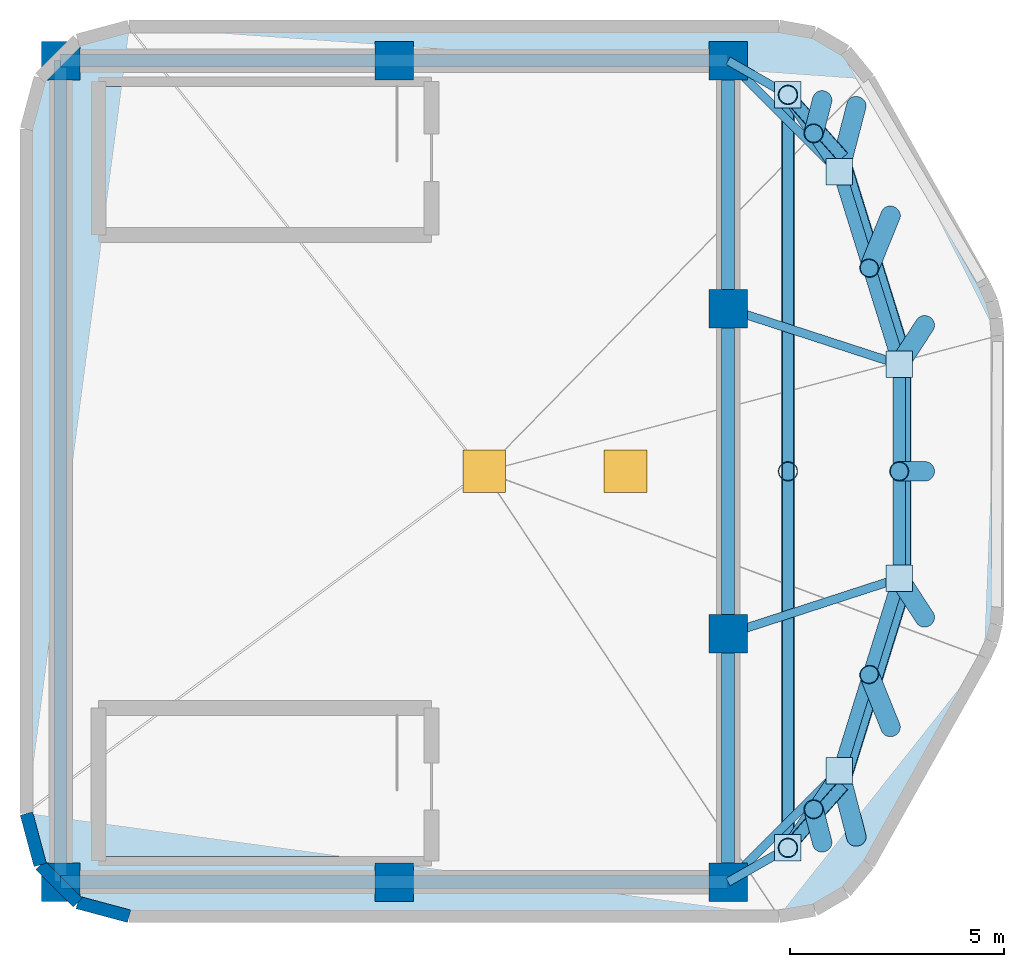
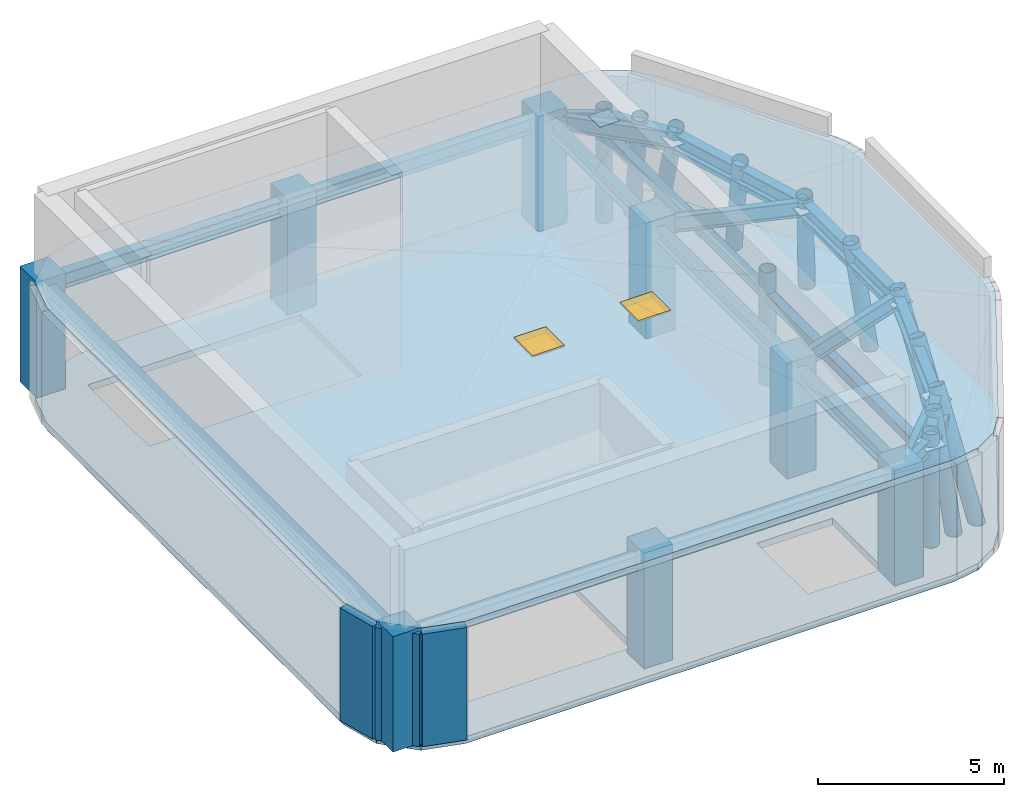
# One storey, part 1 of 3: 18 members, 17 beams, 8 columns, 6 plates, 3 walls, 2 doors, 2 slabs, 2 openings.
"""IFC4 building model written with IfcOpenShell, lengths in metres."""

from ifc_helpers import new_model, si_unit, direction, frame, frame_2d, origin, origin_2d, place, context, subcontext, project, spatial, polyline, rectangle, hollow_rectangle, hollow_circle, i_section, outline, extrude, material, layer, layer_set, material_profile, profile_set, type_object, element, fill, save


model = new_model("IFC4")

# Units and contexts
model_context = context("Model", 3, precision=1e-05, world=origin(), true_north=direction((0.0, 1.0)))
body_context = subcontext(model_context, "Body", "Model", "MODEL_VIEW")
ifc_project = project(units=[si_unit("LENGTHUNIT", "METRE"), si_unit("AREAUNIT", "SQUARE_METRE"), si_unit("VOLUMEUNIT", "CUBIC_METRE"), si_unit("PLANEANGLEUNIT", "RADIAN"), si_unit("MASSUNIT", "GRAM", prefix="KILO")], contexts=[model_context])

# Site, building, storey
site_placement = place(None, origin())
site = spatial("IfcSite", under=ifc_project, at=site_placement, CompositionType="ELEMENT")
building_placement = place(site_placement, origin())
building = spatial("IfcBuilding", under=site, at=building_placement, Name="An Khanh Terracotta Commons", CompositionType="ELEMENT")
storey_placement = place(building_placement, frame((0.0, 0.0, 335.39990234375)))
storey = spatial("IfcBuildingStorey", under=building, at=storey_placement, Name="L83 Crown Glass-Point Apex", CompositionType="ELEMENT", Elevation=335.39990234375)

# Columns
ifc_material_1 = material(Name="Concrete C50/60", Category="concrete")
ifc_material_profile_1 = material_profile(ifc_material_1, rectangle(XDim=0.89990234375, YDim=0.89990234375, at=origin_2d()), Name="RC900x900")
ifc_profile_set_1 = profile_set([ifc_material_profile_1], Name="Concrete C50/60")
column_type = type_object("IfcColumnType", Name="COL-RC900x900", PredefinedType="COLUMN", material=ifc_profile_set_1)
for number, where, z_axis, x_axis, name in (
    (1, (21.60009765625, 14.39990234375, 0.0), (0.0, 0.0, 1.0), (1.0, 0.0, 0.0), "L83 Crown Glass-Point Apex Core Boundary Column CC-01"),
    (2, (29.39990234375, 14.39990234375, 0.0), (0.0, 0.0, 1.0), (1.0, 0.0, 0.0), "L83 Crown Glass-Point Apex Core Boundary Column CC-02"),
    (3, (37.199951171875, 14.39990234375, 0.0), (0.0, 0.0, 1.0), (1.0, 0.0, 0.0), "L83 Crown Glass-Point Apex Core Boundary Column CC-03"),
    (4, (37.199951171875, 20.199951171875, 0.0), (0.0, 0.0, 1.0), (1.0, 0.0, 0.0), "L83 Crown Glass-Point Apex Core Boundary Column CC-04"),
    (5, (37.199951171875, 27.800048828125, 0.0), (0.0, 0.0, 1.0), (1.0, 0.0, 0.0), "L83 Crown Glass-Point Apex Core Boundary Column CC-05"),
    (6, (37.199951171875, 33.60009765625, 0.0), (0.0, 0.0, 1.0), (1.0, 0.0, 0.0), "L83 Crown Glass-Point Apex Core Boundary Column CC-06"),
    (7, (29.39990234375, 33.60009765625, 0.0), (0.0, 0.0, 1.0), (1.0, 0.0, 0.0), "L83 Crown Glass-Point Apex Core Boundary Column CC-07"),
    (8, (21.60009765625, 33.60009765625, 0.0), (0.0, 0.0, 1.0), (1.0, 0.0, 0.0), "L83 Crown Glass-Point Apex Core Boundary Column CC-08"),
):
    element("IfcColumn", number, at=place(storey_placement, frame(where, z_axis=z_axis, x_axis=x_axis)), inside=storey, type_object=column_type, Name=name, PredefinedType="COLUMN", context=body_context, shape_type="SweptSolid", body=[
        extrude(rectangle(XDim=0.89990234375, YDim=0.89990234375, at=origin_2d()), origin(), (0.0, 0.0, 1.0), 3.800048828125),
    ])

# Beams
ifc_material_2 = material(Name="Steel S355J2", Category="steel")
ifc_material_profile_2 = material_profile(ifc_material_2, i_section(OverallWidth=0.300048828125, OverallDepth=0.449951171875, WebThickness=0.013916015625, FlangeThickness=0.02587890625, FilletRadius=0.027099609375, at=origin_2d()), Name="HEB450")
ifc_profile_set_2 = profile_set([ifc_material_profile_2], Name="Steel S355J2")
beam_type_1 = type_object("IfcBeamType", Name="BM-HEB450", PredefinedType="BEAM", material=ifc_profile_set_2)
beam_1_placement = place(storey_placement, frame((37.199951171875, 14.39990234375, 3.3251953125), z_axis=(0.0, 1.0, 0.0), x_axis=(-1.0, 0.0, 0.0)))
element("IfcBeam", 9, at=beam_1_placement, inside=storey, type_object=beam_type_1, Name="L83 Crown Glass-Point Apex Core East Coupling Girder 1", PredefinedType="BEAM", context=body_context, shape_type="SweptSolid", body=[
    extrude(i_section(OverallWidth=0.300048828125, OverallDepth=0.449951171875, WebThickness=0.013916015625, FlangeThickness=0.02587890625, FilletRadius=0.027099609375, at=origin_2d()), origin(), (0.0, 0.0, 1.0), 5.800048828125),
])
beam_2_placement = place(storey_placement, frame((37.199951171875, 20.199951171875, 3.3251953125), z_axis=(0.0, 1.0, 0.0), x_axis=(-1.0, 0.0, 0.0)))
element("IfcBeam", 10, at=beam_2_placement, inside=storey, type_object=beam_type_1, Name="L83 Crown Glass-Point Apex Core East Coupling Girder 2", PredefinedType="BEAM", context=body_context, shape_type="SweptSolid", body=[
    extrude(i_section(OverallWidth=0.300048828125, OverallDepth=0.449951171875, WebThickness=0.013916015625, FlangeThickness=0.02587890625, FilletRadius=0.027099609375, at=origin_2d()), origin(), (0.0, 0.0, 1.0), 7.60009765625),
])
beam_3_placement = place(storey_placement, frame((37.199951171875, 27.800048828125, 3.3251953125), z_axis=(0.0, 1.0, 0.0), x_axis=(-1.0, 0.0, 0.0)))
element("IfcBeam", 11, at=beam_3_placement, inside=storey, type_object=beam_type_1, Name="L83 Crown Glass-Point Apex Core East Coupling Girder 3", PredefinedType="BEAM", context=body_context, shape_type="SweptSolid", body=[
    extrude(i_section(OverallWidth=0.300048828125, OverallDepth=0.449951171875, WebThickness=0.013916015625, FlangeThickness=0.02587890625, FilletRadius=0.027099609375, at=origin_2d()), origin(), (0.0, 0.0, 1.0), 5.800048828125),
])
beam_4_placement = place(storey_placement, frame((21.60009765625, 14.39990234375, 3.3251953125), z_axis=(0.0, 1.0, 0.0), x_axis=(-1.0, 0.0, 0.0)))
element("IfcBeam", 12, at=beam_4_placement, inside=storey, type_object=beam_type_1, Name="L83 Crown Glass-Point Apex Core West Coupling Girder", PredefinedType="BEAM", context=body_context, shape_type="SweptSolid", body=[
    extrude(i_section(OverallWidth=0.300048828125, OverallDepth=0.449951171875, WebThickness=0.013916015625, FlangeThickness=0.02587890625, FilletRadius=0.027099609375, at=origin_2d()), origin(), (0.0, 0.0, 1.0), 19.2001953125),
])
ifc_material_profile_3 = material_profile(ifc_material_2, i_section(OverallWidth=0.300048828125, OverallDepth=0.5, WebThickness=0.014404296875, FlangeThickness=0.028076171875, FilletRadius=0.027099609375, at=origin_2d()), Name="HEB500")
ifc_profile_set_3 = profile_set([ifc_material_profile_3], Name="Steel S355J2")
beam_type_2 = type_object("IfcBeamType", Name="BM-HEB500", PredefinedType="BEAM", material=ifc_profile_set_3)
for number, where, z_axis, x_axis, name in (
    (13, (21.60009765625, 14.39990234375, 3.300048828125), (1.0, 0.0, 0.0), (0.0, 1.0, 0.0), "L83 Crown Glass-Point Apex Core South Coupling Girder"),
    (14, (21.60009765625, 33.60009765625, 3.300048828125), (1.0, 0.0, 0.0), (0.0, 1.0, 0.0), "L83 Crown Glass-Point Apex Core North Coupling Girder"),
):
    element("IfcBeam", number, at=place(storey_placement, frame(where, z_axis=z_axis, x_axis=x_axis)), inside=storey, type_object=beam_type_2, Name=name, PredefinedType="BEAM", context=body_context, shape_type="SweptSolid", body=[
        extrude(i_section(OverallWidth=0.300048828125, OverallDepth=0.5, WebThickness=0.014404296875, FlangeThickness=0.028076171875, FilletRadius=0.027099609375, at=origin_2d()), origin(), (0.0, 0.0, 1.0), 15.599853515625),
    ])
beam_5_placement = place(storey_placement, frame((38.60009765625, 15.199951171875, 3.300048828125), z_axis=(0.554674152876, 0.832067655982, 0.0), x_axis=(-0.832067655982, 0.554674152876, 0.0)))
element("IfcBeam", 15, at=beam_5_placement, inside=storey, type_object=beam_type_2, Name="L83 Crown Glass-Point Apex CROWN FRAME Ring Beam 1", PredefinedType="BEAM", context=body_context, shape_type="SweptSolid", body=[
    extrude(i_section(OverallWidth=0.300048828125, OverallDepth=0.5, WebThickness=0.014404296875, FlangeThickness=0.028076171875, FilletRadius=0.027099609375, at=origin_2d()), origin(), (0.0, 0.0, 1.0), 2.163330078125),
])
beam_6_placement = place(storey_placement, frame((39.800048828125, 17.0, 3.300048828125), z_axis=(0.297047659405, 0.95486265402, 0.0), x_axis=(-0.95486265402, 0.297047659405, 0.0)))
element("IfcBeam", 16, at=beam_6_placement, inside=storey, type_object=beam_type_2, Name="L83 Crown Glass-Point Apex CROWN FRAME Ring Beam 2", PredefinedType="BEAM", context=body_context, shape_type="SweptSolid", body=[
    extrude(i_section(OverallWidth=0.300048828125, OverallDepth=0.5, WebThickness=0.014404296875, FlangeThickness=0.028076171875, FilletRadius=0.027099609375, at=origin_2d()), origin(), (0.0, 0.0, 1.0), 4.712646484375),
])
beam_7_placement = place(storey_placement, frame((41.199951171875, 21.5, 3.300048828125), z_axis=(0.0, 1.0, 0.0), x_axis=(-1.0, 0.0, 0.0)))
element("IfcBeam", 17, at=beam_7_placement, inside=storey, type_object=beam_type_2, Name="L83 Crown Glass-Point Apex CROWN FRAME Ring Beam 3", PredefinedType="BEAM", context=body_context, shape_type="SweptSolid", body=[
    extrude(i_section(OverallWidth=0.300048828125, OverallDepth=0.5, WebThickness=0.014404296875, FlangeThickness=0.028076171875, FilletRadius=0.027099609375, at=origin_2d()), origin(), (0.0, 0.0, 1.0), 5.0),
])
beam_8_placement = place(storey_placement, frame((41.199951171875, 26.5, 3.300048828125), z_axis=(-0.297047659405, 0.95486265402, 0.0), x_axis=(-0.95486265402, -0.297047659405, 0.0)))
element("IfcBeam", 18, at=beam_8_placement, inside=storey, type_object=beam_type_2, Name="L83 Crown Glass-Point Apex CROWN FRAME Ring Beam 4", PredefinedType="BEAM", context=body_context, shape_type="SweptSolid", body=[
    extrude(i_section(OverallWidth=0.300048828125, OverallDepth=0.5, WebThickness=0.014404296875, FlangeThickness=0.028076171875, FilletRadius=0.027099609375, at=origin_2d()), origin(), (0.0, 0.0, 1.0), 4.712646484375),
])
beam_9_placement = place(storey_placement, frame((39.800048828125, 31.0, 3.300048828125), z_axis=(-0.554674152876, 0.832067655982, 0.0), x_axis=(-0.832067655982, -0.554674152876, 0.0)))
element("IfcBeam", 19, at=beam_9_placement, inside=storey, type_object=beam_type_2, Name="L83 Crown Glass-Point Apex CROWN FRAME Ring Beam 5", PredefinedType="BEAM", context=body_context, shape_type="SweptSolid", body=[
    extrude(i_section(OverallWidth=0.300048828125, OverallDepth=0.5, WebThickness=0.014404296875, FlangeThickness=0.028076171875, FilletRadius=0.027099609375, at=origin_2d()), origin(), (0.0, 0.0, 1.0), 2.163330078125),
])
ifc_material_profile_4 = material_profile(ifc_material_2, i_section(OverallWidth=0.199951171875, OverallDepth=0.5, WebThickness=0.01025390625, FlangeThickness=0.01611328125, FilletRadius=0.02099609375, at=origin_2d()), Name="IPE500")
ifc_profile_set_4 = profile_set([ifc_material_profile_4], Name="Steel S355J2")
beam_type_3 = type_object("IfcBeamType", Name="BM-IPE500", PredefinedType="BEAM", material=ifc_profile_set_4)
beam_10_placement = place(storey_placement, frame((37.199951171875, 14.39990234375, 3.300048828125), z_axis=(0.86825245861, 0.496122634152, 0.0), x_axis=(-0.496122634152, 0.86825245861, 0.0)))
element("IfcBeam", 20, at=beam_10_placement, inside=storey, type_object=beam_type_3, Name="L83 Crown Glass-Point Apex Crown Radial Tie Beam 1", PredefinedType="BEAM", context=body_context, shape_type="SweptSolid", body=[
    extrude(i_section(OverallWidth=0.199951171875, OverallDepth=0.5, WebThickness=0.01025390625, FlangeThickness=0.01611328125, FilletRadius=0.02099609375, at=origin_2d()), origin(), (0.0, 0.0, 1.0), 1.612548828125),
])
beam_11_placement = place(storey_placement, frame((37.199951171875, 14.39990234375, 3.300048828125), z_axis=(0.707106781187, 0.707106781187, 0.0), x_axis=(-0.707106781187, 0.707106781187, 0.0)))
element("IfcBeam", 21, at=beam_11_placement, inside=storey, type_object=beam_type_3, Name="L83 Crown Glass-Point Apex Crown Radial Tie Beam 2", PredefinedType="BEAM", context=body_context, shape_type="SweptSolid", body=[
    extrude(i_section(OverallWidth=0.199951171875, OverallDepth=0.5, WebThickness=0.01025390625, FlangeThickness=0.01611328125, FilletRadius=0.02099609375, at=origin_2d()), origin(), (0.0, 0.0, 1.0), 3.677001953125),
])
for number, where, z_axis, x_axis, name in (
    (22, (37.199951171875, 20.199951171875, 3.300048828125), (0.951030656115, 0.309096572498, 0.0), (-0.309096572498, 0.951030656115, 0.0), "L83 Crown Glass-Point Apex Crown Radial Tie Beam 3"),
    (23, (37.199951171875, 27.800048828125, 3.300048828125), (0.951030656115, -0.309096572498, 0.0), (0.309096572498, 0.951030656115, 0.0), "L83 Crown Glass-Point Apex Crown Radial Tie Beam 4"),
):
    element("IfcBeam", number, at=place(storey_placement, frame(where, z_axis=z_axis, x_axis=x_axis)), inside=storey, type_object=beam_type_3, Name=name, PredefinedType="BEAM", context=body_context, shape_type="SweptSolid", body=[
        extrude(i_section(OverallWidth=0.199951171875, OverallDepth=0.5, WebThickness=0.01025390625, FlangeThickness=0.01611328125, FilletRadius=0.02099609375, at=origin_2d()), origin(), (0.0, 0.0, 1.0), 4.2060546875),
    ])
beam_12_placement = place(storey_placement, frame((37.199951171875, 33.60009765625, 3.300048828125), z_axis=(0.707106781187, -0.707106781187, 0.0), x_axis=(0.707106781187, 0.707106781187, 0.0)))
element("IfcBeam", 24, at=beam_12_placement, inside=storey, type_object=beam_type_3, Name="L83 Crown Glass-Point Apex Crown Radial Tie Beam 5", PredefinedType="BEAM", context=body_context, shape_type="SweptSolid", body=[
    extrude(i_section(OverallWidth=0.199951171875, OverallDepth=0.5, WebThickness=0.01025390625, FlangeThickness=0.01611328125, FilletRadius=0.02099609375, at=origin_2d()), origin(), (0.0, 0.0, 1.0), 3.677001953125),
])
beam_13_placement = place(storey_placement, frame((37.199951171875, 33.60009765625, 3.300048828125), z_axis=(0.86825245861, -0.496122634152, 0.0), x_axis=(0.496122634152, 0.86825245861, 0.0)))
element("IfcBeam", 25, at=beam_13_placement, inside=storey, type_object=beam_type_3, Name="L83 Crown Glass-Point Apex Crown Radial Tie Beam 6", PredefinedType="BEAM", context=body_context, shape_type="SweptSolid", body=[
    extrude(i_section(OverallWidth=0.199951171875, OverallDepth=0.5, WebThickness=0.01025390625, FlangeThickness=0.01611328125, FilletRadius=0.02099609375, at=origin_2d()), origin(), (0.0, 0.0, 1.0), 1.612548828125),
])

# Members
ifc_material_3 = material(Name="Steel S460ML", Category="steel")
ifc_material_profile_5 = material_profile(ifc_material_3, hollow_circle(Radius=0.228515625, WallThickness=0.02001953125, at=origin_2d()), Name="CHS457x20")
ifc_profile_set_5 = profile_set([ifc_material_profile_5], Name="Steel S460ML")
member_type_1 = type_object("IfcMemberType", Name="CROWN FRAME RIB CHS457", PredefinedType="STRUT", material=ifc_profile_set_5)
member_1_placement = place(storey_placement, frame((38.60009765625, 15.199951171875, -0.119873046875), z_axis=(0.0, 0.0, 1.0), x_axis=(1.0, 0.0, 0.0)))
element("IfcMember", 26, at=member_1_placement, inside=storey, type_object=member_type_1, Name="L83 Crown Glass-Point Apex CROWN FRAME Corner Raking Rib 1", PredefinedType="STRUT", context=body_context, shape_type="SweptSolid", body=[
    extrude(hollow_circle(Radius=0.228515625, WallThickness=0.02001953125, at=origin_2d()), origin(), (0.0, 0.0, 1.0), 3.840087890625),
])
member_2_placement = place(storey_placement, frame((39.39990234375, 15.324951171875, -0.119873046875), z_axis=(-0.050973617896, 0.197608347765, 0.97895486677), x_axis=(-0.968303501826, -0.249776556849, 0.0)))
element("IfcMember", 27, at=member_2_placement, inside=storey, type_object=member_type_1, Name="L83 Crown Glass-Point Apex CROWN FRAME Facet Strut 1", PredefinedType="STRUT", context=body_context, shape_type="SweptSolid", body=[
    extrude(hollow_circle(Radius=0.228515625, WallThickness=0.02001953125, at=origin_2d()), origin(), (0.0, 0.0, 1.0), 3.922607421875),
])
member_3_placement = place(storey_placement, frame((40.199951171875, 15.449951171875, -0.119873046875), z_axis=(-0.096121350526, 0.37257292704, 0.923011430054), x_axis=(-0.968293986201, -0.249813442967, 0.0)))
element("IfcMember", 28, at=member_3_placement, inside=storey, type_object=member_type_1, Name="L83 Crown Glass-Point Apex CROWN FRAME Corner Raking Rib 2", PredefinedType="STRUT", context=body_context, shape_type="SweptSolid", body=[
    extrude(hollow_circle(Radius=0.228515625, WallThickness=0.02001953125, at=origin_2d()), origin(), (0.0, 0.0, 1.0), 4.160400390625),
])
member_4_placement = place(storey_placement, frame((41.0, 18.014892578125, -0.119873046875), z_axis=(-0.123010385467, 0.303862080117, 0.944741383308), x_axis=(-0.926927088432, -0.375241485888, 0.0)))
element("IfcMember", 29, at=member_4_placement, inside=storey, type_object=member_type_1, Name="L83 Crown Glass-Point Apex CROWN FRAME Facet Strut 2", PredefinedType="STRUT", context=body_context, shape_type="SweptSolid", body=[
    extrude(hollow_circle(Radius=0.228515625, WallThickness=0.02001953125, at=origin_2d()), origin(), (0.0, 0.0, 1.0), 4.064697265625),
])
member_5_placement = place(storey_placement, frame((41.800048828125, 20.580078125, -0.119873046875), z_axis=(-0.150246904491, 0.230321536258, 0.961445712262), x_axis=(-0.837548683411, -0.546362702713, 0.0)))
element("IfcMember", 30, at=member_5_placement, inside=storey, type_object=member_type_1, Name="L83 Crown Glass-Point Apex CROWN FRAME Corner Raking Rib 3", PredefinedType="STRUT", context=body_context, shape_type="SweptSolid", body=[
    extrude(hollow_circle(Radius=0.228515625, WallThickness=0.02001953125, at=origin_2d()), origin(), (0.0, 0.0, 1.0), 3.994140625),
])
member_6_placement = place(storey_placement, frame((41.800048828125, 24.0, -0.119873046875), z_axis=(-0.154397958115, 0.0, 0.988008740108), x_axis=(0.0, -1.0, 0.0)))
element("IfcMember", 31, at=member_6_placement, inside=storey, type_object=member_type_1, Name="L83 Crown Glass-Point Apex CROWN FRAME Facet Strut 3", PredefinedType="STRUT", context=body_context, shape_type="SweptSolid", body=[
    extrude(hollow_circle(Radius=0.228515625, WallThickness=0.02001953125, at=origin_2d()), origin(), (0.0, 0.0, 1.0), 3.88671875),
])
member_7_placement = place(storey_placement, frame((41.800048828125, 27.419921875, -0.119873046875), z_axis=(-0.150246904491, -0.230321536258, 0.961445712262), x_axis=(0.837548683411, -0.546362702713, 0.0)))
element("IfcMember", 32, at=member_7_placement, inside=storey, type_object=member_type_1, Name="L83 Crown Glass-Point Apex CROWN FRAME Corner Raking Rib 4", PredefinedType="STRUT", context=body_context, shape_type="SweptSolid", body=[
    extrude(hollow_circle(Radius=0.228515625, WallThickness=0.02001953125, at=origin_2d()), origin(), (0.0, 0.0, 1.0), 3.994140625),
])
member_8_placement = place(storey_placement, frame((41.0, 29.985107421875, -0.119873046875), z_axis=(-0.123010385467, -0.303862080117, 0.944741383308), x_axis=(0.926927088432, -0.375241485888, 0.0)))
element("IfcMember", 33, at=member_8_placement, inside=storey, type_object=member_type_1, Name="L83 Crown Glass-Point Apex CROWN FRAME Facet Strut 4", PredefinedType="STRUT", context=body_context, shape_type="SweptSolid", body=[
    extrude(hollow_circle(Radius=0.228515625, WallThickness=0.02001953125, at=origin_2d()), origin(), (0.0, 0.0, 1.0), 4.064697265625),
])
member_9_placement = place(storey_placement, frame((40.199951171875, 32.550048828125, -0.119873046875), z_axis=(-0.096121350526, -0.37257292704, 0.923011430054), x_axis=(0.968293986201, -0.249813442967, 0.0)))
element("IfcMember", 34, at=member_9_placement, inside=storey, type_object=member_type_1, Name="L83 Crown Glass-Point Apex CROWN FRAME Corner Raking Rib 5", PredefinedType="STRUT", context=body_context, shape_type="SweptSolid", body=[
    extrude(hollow_circle(Radius=0.228515625, WallThickness=0.02001953125, at=origin_2d()), origin(), (0.0, 0.0, 1.0), 4.160400390625),
])
member_10_placement = place(storey_placement, frame((39.39990234375, 32.675048828125, -0.119873046875), z_axis=(-0.050973617896, -0.197608347765, 0.97895486677), x_axis=(0.968303501826, -0.249776556849, 0.0)))
element("IfcMember", 35, at=member_10_placement, inside=storey, type_object=member_type_1, Name="L83 Crown Glass-Point Apex CROWN FRAME Facet Strut 5", PredefinedType="STRUT", context=body_context, shape_type="SweptSolid", body=[
    extrude(hollow_circle(Radius=0.228515625, WallThickness=0.02001953125, at=origin_2d()), origin(), (0.0, 0.0, 1.0), 3.922607421875),
])
for number, where, z_axis, x_axis, name in (
    (36, (38.60009765625, 32.800048828125, -0.119873046875), (0.0, 0.0, 1.0), (1.0, 0.0, 0.0), "L83 Crown Glass-Point Apex CROWN FRAME Corner Raking Rib 6"),
    (37, (38.60009765625, 24.0, -0.119873046875), (0.0, 0.0, 1.0), (1.0, 0.0, 0.0), "L83 Crown Glass-Point Apex CROWN FRAME Facet Strut 6"),
):
    element("IfcMember", number, at=place(storey_placement, frame(where, z_axis=z_axis, x_axis=x_axis)), inside=storey, type_object=member_type_1, Name=name, PredefinedType="STRUT", context=body_context, shape_type="SweptSolid", body=[
        extrude(hollow_circle(Radius=0.228515625, WallThickness=0.02001953125, at=origin_2d()), origin(), (0.0, 0.0, 1.0), 3.840087890625),
    ])
ifc_material_profile_6 = material_profile(ifc_material_3, hollow_rectangle(XDim=0.300048828125, YDim=0.300048828125, WallThickness=0.01611328125, InnerFilletRadius=0.01611328125, OuterFilletRadius=0.031982421875, at=origin_2d()), Name="SHS300x300x16")
ifc_profile_set_6 = profile_set([ifc_material_profile_6], Name="Steel S460ML")
member_type_2 = type_object("IfcMemberType", Name="CROWN FRAME RING SHS300", PredefinedType="CHORD", material=ifc_profile_set_6)
member_11_placement = place(storey_placement, frame((38.60009765625, 15.199951171875, 2.875), z_axis=(0.661766848008, 0.74970970307, 0.0), x_axis=(-0.74970970307, 0.661766848008, 0.0)))
element("IfcMember", 38, at=member_11_placement, inside=storey, type_object=member_type_2, Name="L83 Crown Glass-Point Apex CROWN FRAME Sill Ring Chord 1", PredefinedType="CHORD", context=body_context, shape_type="SweptSolid", body=[
    extrude(hollow_rectangle(XDim=0.300048828125, YDim=0.300048828125, WallThickness=0.01611328125, InnerFilletRadius=0.01611328125, OuterFilletRadius=0.031982421875, at=origin_2d()), origin(), (0.0, 0.0, 1.0), 1.946044921875),
])
member_12_placement = place(storey_placement, frame((39.887939453125, 16.658935546875, 2.875), z_axis=(0.297216206674, 0.954810204433, 0.0), x_axis=(-0.954810204433, 0.297216206674, 0.0)))
element("IfcMember", 39, at=member_12_placement, inside=storey, type_object=member_type_2, Name="L83 Crown Glass-Point Apex CROWN FRAME Sill Ring Chord 2", PredefinedType="CHORD", context=body_context, shape_type="SweptSolid", body=[
    extrude(hollow_rectangle(XDim=0.300048828125, YDim=0.300048828125, WallThickness=0.01611328125, InnerFilletRadius=0.01611328125, OuterFilletRadius=0.031982421875, at=origin_2d()), origin(), (0.0, 0.0, 1.0), 4.858642578125),
])
member_13_placement = place(storey_placement, frame((41.33203125, 21.298095703125, 2.875), z_axis=(0.0, 1.0, 0.0), x_axis=(-1.0, 0.0, 0.0)))
element("IfcMember", 40, at=member_13_placement, inside=storey, type_object=member_type_2, Name="L83 Crown Glass-Point Apex CROWN FRAME Sill Ring Chord 3", PredefinedType="CHORD", context=body_context, shape_type="SweptSolid", body=[
    extrude(hollow_rectangle(XDim=0.300048828125, YDim=0.300048828125, WallThickness=0.01611328125, InnerFilletRadius=0.01611328125, OuterFilletRadius=0.031982421875, at=origin_2d()), origin(), (0.0, 0.0, 1.0), 5.40380859375),
])
member_14_placement = place(storey_placement, frame((41.33203125, 26.701904296875, 2.875), z_axis=(-0.297216206674, 0.954810204433, 0.0), x_axis=(-0.954810204433, -0.297216206674, 0.0)))
element("IfcMember", 41, at=member_14_placement, inside=storey, type_object=member_type_2, Name="L83 Crown Glass-Point Apex CROWN FRAME Sill Ring Chord 4", PredefinedType="CHORD", context=body_context, shape_type="SweptSolid", body=[
    extrude(hollow_rectangle(XDim=0.300048828125, YDim=0.300048828125, WallThickness=0.01611328125, InnerFilletRadius=0.01611328125, OuterFilletRadius=0.031982421875, at=origin_2d()), origin(), (0.0, 0.0, 1.0), 4.858642578125),
])
member_15_placement = place(storey_placement, frame((39.887939453125, 31.341064453125, 2.875), z_axis=(-0.661766848008, 0.74970970307, 0.0), x_axis=(-0.74970970307, -0.661766848008, 0.0)))
element("IfcMember", 42, at=member_15_placement, inside=storey, type_object=member_type_2, Name="L83 Crown Glass-Point Apex CROWN FRAME Sill Ring Chord 5", PredefinedType="CHORD", context=body_context, shape_type="SweptSolid", body=[
    extrude(hollow_rectangle(XDim=0.300048828125, YDim=0.300048828125, WallThickness=0.01611328125, InnerFilletRadius=0.01611328125, OuterFilletRadius=0.031982421875, at=origin_2d()), origin(), (0.0, 0.0, 1.0), 1.946044921875),
])
member_16_placement = place(storey_placement, frame((38.60009765625, 32.800048828125, 2.875), z_axis=(0.0, -1.0, 0.0), x_axis=(1.0, 0.0, 0.0)))
element("IfcMember", 43, at=member_16_placement, inside=storey, type_object=member_type_2, Name="L83 Crown Glass-Point Apex CROWN FRAME Sill Ring Chord 6", PredefinedType="CHORD", context=body_context, shape_type="SweptSolid", body=[
    extrude(hollow_rectangle(XDim=0.300048828125, YDim=0.300048828125, WallThickness=0.01611328125, InnerFilletRadius=0.01611328125, OuterFilletRadius=0.031982421875, at=origin_2d()), origin(), (0.0, 0.0, 1.0), 17.60009765625),
])

# Plates
ifc_layer_1 = layer(ifc_material_3, 0.02490234375, Name="Steel S460ML")
ifc_layer_set_1 = layer_set([ifc_layer_1], Name="Steel S460ML")
plate_type = type_object("IfcPlateType", Name="PLATE-GUSSET-25", PredefinedType="USERDEFINED", material=ifc_layer_set_1)
for number, where, z_axis, x_axis, name in (
    (44, (38.60009765625, 15.199951171875, 3.28759765625), (0.0, 0.0, 1.0), (1.0, 0.0, 0.0), "L83 Crown Glass-Point Apex CROWN FRAME Node End-Cap Plate 1"),
    (45, (39.800048828125, 17.0, 3.28759765625), (0.0, 0.0, 1.0), (1.0, 0.0, 0.0), "L83 Crown Glass-Point Apex CROWN FRAME Node End-Cap Plate 2"),
    (46, (41.199951171875, 21.5, 3.28759765625), (0.0, 0.0, 1.0), (1.0, 0.0, 0.0), "L83 Crown Glass-Point Apex CROWN FRAME Node End-Cap Plate 3"),
    (47, (41.199951171875, 26.5, 3.28759765625), (0.0, 0.0, 1.0), (1.0, 0.0, 0.0), "L83 Crown Glass-Point Apex CROWN FRAME Node End-Cap Plate 4"),
    (48, (39.800048828125, 31.0, 3.28759765625), (0.0, 0.0, 1.0), (1.0, 0.0, 0.0), "L83 Crown Glass-Point Apex CROWN FRAME Node End-Cap Plate 5"),
    (49, (38.60009765625, 32.800048828125, 3.28759765625), (0.0, 0.0, 1.0), (1.0, 0.0, 0.0), "L83 Crown Glass-Point Apex CROWN FRAME Node End-Cap Plate 6"),
):
    element("IfcPlate", number, at=place(storey_placement, frame(where, z_axis=z_axis, x_axis=x_axis)), inside=storey, type_object=plate_type, Name=name, ObjectType="FLANGE_PLATE", PredefinedType="USERDEFINED", context=body_context, shape_type="SweptSolid", body=[
        extrude(rectangle(XDim=0.6201171875, YDim=0.6201171875, at=origin_2d()), origin(), (0.0, 0.0, 1.0), 0.02490234375),
    ])

# Slab
ifc_material_4 = material(Name="Concrete C40/50", Category="concrete")
ifc_layer_2 = layer(ifc_material_4, 0.219970703125, Name="Concrete C40/50")
ifc_layer_set_2 = layer_set([ifc_layer_2], Name="Concrete C40/50")
slab_type = type_object("IfcSlabType", Name="SLAB-POD-220", PredefinedType="FLOOR", material=ifc_layer_set_2)
slab_1_placement = place(storey_placement, frame((0.0, 0.0, -0.219970703125)))
element("IfcSlab", 50, at=slab_1_placement, inside=storey, type_object=slab_type, Name="L83 Crown Glass-Point Apex Structural Floor Slab", PredefinedType="FLOOR", context=body_context, shape_type="SweptSolid", body=[
    extrude(outline(polyline([(20.800048828125, 16.0), (21.1220703125, 14.800048828125), (22.0, 13.922119140625), (23.199951171875, 13.60009765625), (38.39404296875, 13.60009765625), (39.22412109375, 13.748046875), (39.951904296875, 14.175048828125), (40.488037109375, 14.825927734375), (43.193115234375, 19.653076171875), (43.362060546875, 20.02490234375), (43.465087890625, 20.419921875), (43.5, 20.826904296875), (43.5, 27.173095703125), (43.465087890625, 27.580078125), (43.362060546875, 27.97509765625), (43.193115234375, 28.346923828125), (40.488037109375, 33.174072265625), (39.951904296875, 33.824951171875), (39.22412109375, 34.251953125), (38.39404296875, 34.39990234375), (23.199951171875, 34.39990234375), (22.0, 34.077880859375), (21.1220703125, 33.199951171875), (20.800048828125, 32.0), (20.800048828125, 16.0)]), holes=[polyline([(22.64990234375, 29.699951171875), (29.27001953125, 29.699951171875), (29.27001953125, 33.0), (22.64990234375, 33.0), (22.64990234375, 29.699951171875)]), polyline([(22.64990234375, 15.0), (29.27001953125, 15.0), (29.27001953125, 18.300048828125), (22.64990234375, 18.300048828125), (22.64990234375, 15.0)]), polyline([(34.550048828125, 14.800048828125), (36.89990234375, 14.800048828125), (36.89990234375, 17.550048828125), (34.550048828125, 17.550048828125), (34.550048828125, 14.800048828125)])]), origin(), (0.0, 0.0, 1.0), 0.219970703125),
])

# Slab, openings, doors
slab_2_placement = place(storey_placement, frame((0.0, 0.0, 3.580078125)))
slab_2 = element("IfcSlab", 51, at=slab_2_placement, inside=storey, type_object=slab_type, Name="L83 Crown Lantern Attic Ceiling Diaphragm Slab", PredefinedType="FLOOR", context=body_context, shape_type="SweptSolid", body=[
    extrude(outline(polyline([(20.800048828125, 16.0), (21.1220703125, 14.800048828125), (22.0, 13.922119140625), (23.199951171875, 13.60009765625), (38.39404296875, 13.60009765625), (39.22412109375, 13.748046875), (39.951904296875, 14.175048828125), (40.488037109375, 14.825927734375), (43.193115234375, 19.653076171875), (43.362060546875, 20.02490234375), (43.465087890625, 20.419921875), (43.5, 20.826904296875), (43.5, 27.173095703125), (43.465087890625, 27.580078125), (43.362060546875, 27.97509765625), (43.193115234375, 28.346923828125), (40.488037109375, 33.174072265625), (39.951904296875, 33.824951171875), (39.22412109375, 34.251953125), (38.39404296875, 34.39990234375), (23.199951171875, 34.39990234375), (22.0, 34.077880859375), (21.1220703125, 33.199951171875), (20.800048828125, 32.0), (20.800048828125, 16.0)])), origin(), (0.0, 0.0, 1.0), 0.219970703125),
])
opening_1_placement = place(slab_2_placement, frame((31.5, 24.0, 0.0)))
opening_1 = element("IfcOpeningElement", 52, at=opening_1_placement, cuts=slab_2, Name="Opening RH-01", PredefinedType="OPENING", context=body_context, shape_type="SweptSolid", body=[
    extrude(rectangle(XDim=1.0, YDim=1.0, at=origin_2d()), frame((0.0, 0.0, -0.010009765625)), (0.0, 0.0, 1.0), 0.239990234375),
])
opening_2_placement = place(slab_2_placement, frame((34.800048828125, 24.0, 0.0)))
opening_2 = element("IfcOpeningElement", 53, at=opening_2_placement, cuts=slab_2, Name="Opening RH-01", PredefinedType="OPENING", context=body_context, shape_type="SweptSolid", body=[
    extrude(rectangle(XDim=1.0, YDim=1.0, at=origin_2d()), frame((0.0, 0.0, -0.010009765625)), (0.0, 0.0, 1.0), 0.239990234375),
])
ifc_material_5 = material(Name="Insulated Marine-Grade Aluminium", Category="aluminium")
door_type = type_object("IfcDoorType", Name="HATCH-ROOF-1000", OperationType="NOTDEFINED", PredefinedType="TRAPDOOR", material=ifc_material_5)
door_1_placement = place(opening_1_placement, frame((0.0, 0.0, 0.169921875)))
door_1 = element("IfcDoor", 54, at=door_1_placement, inside=storey, type_object=door_type, Name="L83 Crown Maintenance Roof Hatch 1", OperationType="SINGLE_SWING_LEFT", OverallHeight=1.0, OverallWidth=1.0, PredefinedType="TRAPDOOR", context=body_context, shape_type="SweptSolid", body=[
    extrude(rectangle(XDim=1.0, YDim=1.0, at=origin_2d()), origin(), (0.0, 0.0, 1.0), 0.050048828125),
])
fill(opening_1, door_1)
door_2_placement = place(opening_2_placement, frame((0.0, 0.0, 0.169921875)))
door_2 = element("IfcDoor", 55, at=door_2_placement, inside=storey, type_object=door_type, Name="L83 Crown Maintenance Roof Hatch 2", OperationType="SINGLE_SWING_LEFT", OverallHeight=1.0, OverallWidth=1.0, PredefinedType="TRAPDOOR", context=body_context, shape_type="SweptSolid", body=[
    extrude(rectangle(XDim=1.0, YDim=1.0, at=origin_2d()), origin(), (0.0, 0.0, 1.0), 0.050048828125),
])
fill(opening_2, door_2)

# Walls
ifc_material_6 = material(Name="Precast concrete C40/50", Category="concrete")
ifc_layer_3 = layer(ifc_material_6, 0.300048828125, Name="Precast concrete C40/50")
ifc_layer_set_3 = layer_set([ifc_layer_3], Name="Precast concrete C40/50")
wall_type = type_object("IfcWallType", Name="WALL-EXT-300", PredefinedType="SOLIDWALL", material=ifc_layer_set_3)
wall_1_placement = place(storey_placement, frame((20.800048828125, 16.0, 0.0), z_axis=(0.0, 0.0, 1.0), x_axis=(0.259191159513, -0.965826041702, 0.0)))
element("IfcWall", 56, at=wall_1_placement, inside=storey, type_object=wall_type, Name="L83 Crown Glass-Point Apex Crown Facet Corner Closure 1", PredefinedType="SOLIDWALL", context=body_context, shape_type="SweptSolid", body=[
    extrude(rectangle(XDim=1.242431640625, YDim=0.300048828125, at=frame_2d((0.62109375, 0.0))), origin(), (0.0, 0.0, 1.0), 3.7001953125),
])
wall_2_placement = place(storey_placement, frame((21.1220703125, 14.800048828125, 0.0), z_axis=(0.0, 0.0, 1.0), x_axis=(0.707106781187, -0.707106781187, 0.0)))
element("IfcWall", 57, at=wall_2_placement, inside=storey, type_object=wall_type, Name="L83 Crown Glass-Point Apex Crown Facet Corner Closure 2", PredefinedType="SOLIDWALL", context=body_context, shape_type="SweptSolid", body=[
    extrude(rectangle(XDim=1.24169921875, YDim=0.300048828125, at=frame_2d((0.620849609375, 0.0))), origin(), (0.0, 0.0, 1.0), 3.7001953125),
])
wall_3_placement = place(storey_placement, frame((22.0, 13.922119140625, 0.0), z_axis=(0.0, 0.0, 1.0), x_axis=(0.965826041702, -0.259191159513, 0.0)))
element("IfcWall", 58, at=wall_3_placement, inside=storey, type_object=wall_type, Name="L83 Crown Glass-Point Apex Crown Facet Corner Closure 3", PredefinedType="SOLIDWALL", context=body_context, shape_type="SweptSolid", body=[
    extrude(rectangle(XDim=1.242431640625, YDim=0.300048828125, at=frame_2d((0.62109375, 0.0))), origin(), (0.0, 0.0, 1.0), 3.7001953125),
])

save(model, "model.ifc")
